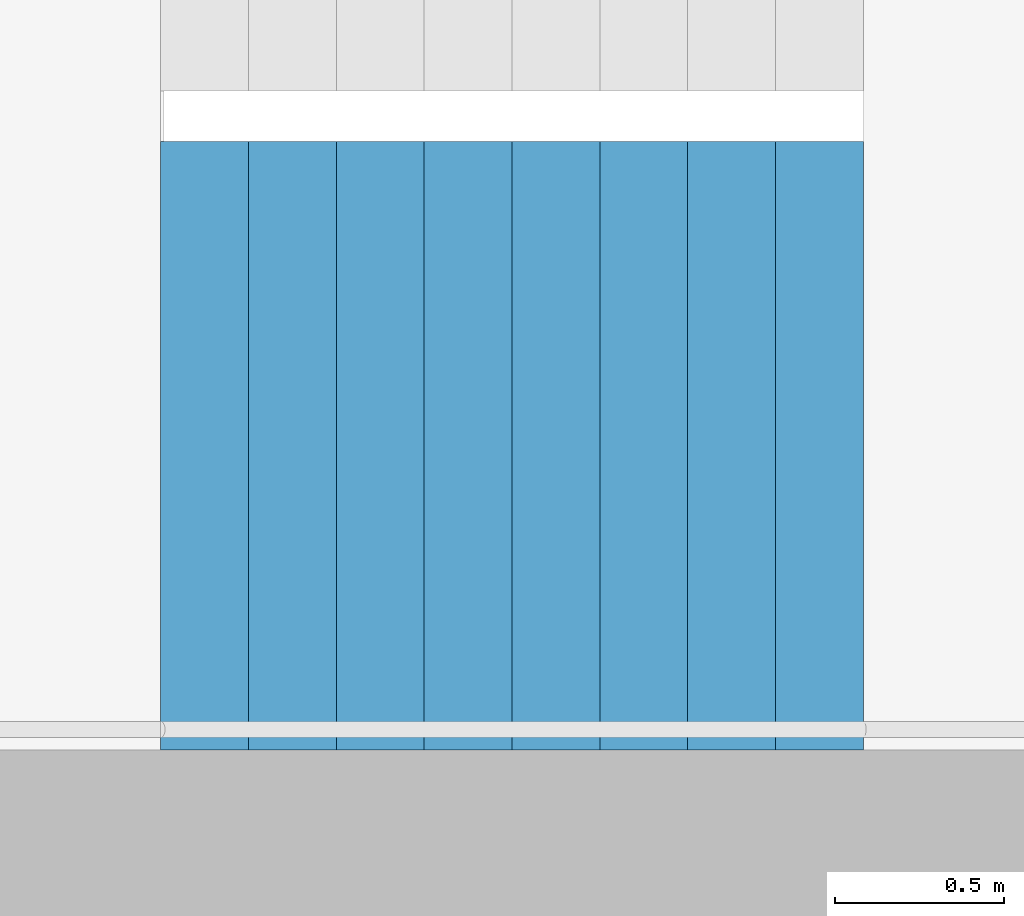
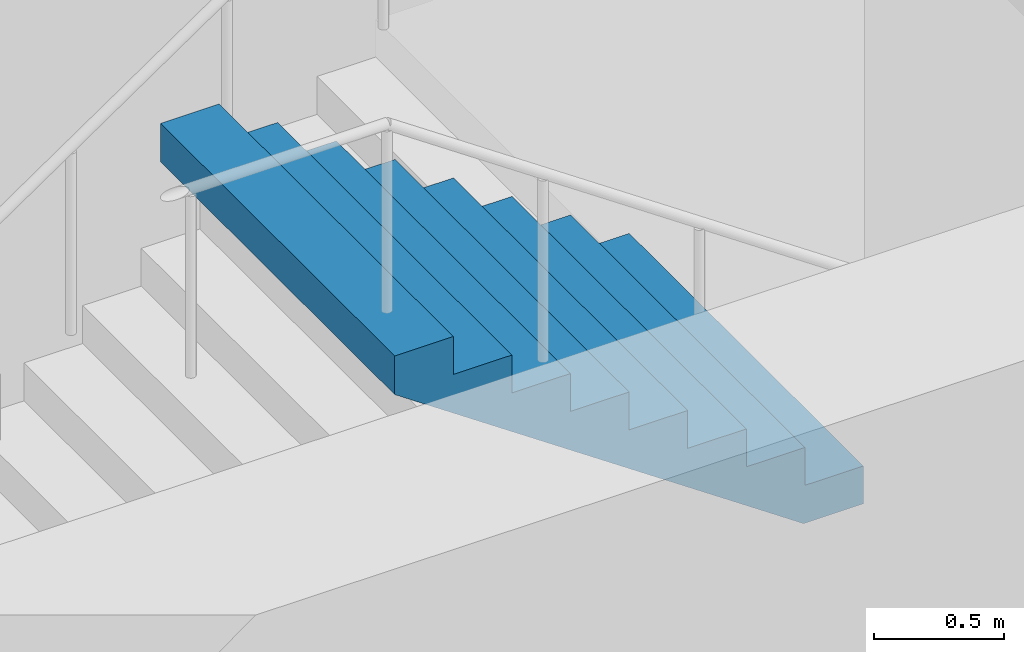
# One storey, part 26 of 43: 1 stair flight, 1 element without a shape of its own.
"""IFC4 building model written with IfcOpenShell, lengths in metres."""

from ifc_helpers import new_model, si_unit, direction, frame, origin, place, context, subcontext, project, spatial, triangles, material, type_object, element, aggregate, save


model = new_model("IFC4")

# Units and contexts
model_context = context("Model", 3, precision=1e-05, world=origin(), true_north=direction((0.0, 1.0)))
body_context = subcontext(model_context, "Body", "Model", "MODEL_VIEW")
ifc_project = project(units=[si_unit("LENGTHUNIT", "METRE"), si_unit("AREAUNIT", "SQUARE_METRE"), si_unit("VOLUMEUNIT", "CUBIC_METRE"), si_unit("PLANEANGLEUNIT", "RADIAN"), si_unit("MASSUNIT", "GRAM", prefix="KILO")], contexts=[model_context])

# Site, building, storey
site_placement = place(None, origin())
site = spatial("IfcSite", under=ifc_project, at=site_placement, CompositionType="ELEMENT")
building_placement = place(site_placement, origin())
building = spatial("IfcBuilding", under=site, at=building_placement, Name="Hakoniwa Tower and Hamabe Station Hall", CompositionType="ELEMENT")
storey_placement = place(building_placement, frame((0.0, 0.0, 124.60009765625)))
storey = spatial("IfcBuildingStorey", under=building, at=storey_placement, Name="L35", CompositionType="ELEMENT", Elevation=124.60009765625)

# Stair, stair flight
ifc_material_1 = material(Name="Concrete C40", Category="concrete")
stair_type = type_object("IfcStairType", Name="ESCAPE STAIR 1800", PredefinedType="HALF_TURN_STAIR", material=ifc_material_1)
stair_placement = place(storey_placement, origin())
stair = element("IfcStair", 1, at=stair_placement, inside=storey, type_object=stair_type, Name="Escape stair ST-4 L35", PredefinedType="HALF_TURN_STAIR")
ifc_material_2 = material(Name="Concrete C40", Category="concrete")
stair_flight_type = type_object("IfcStairFlightType", Name="STAIR FLIGHT 1800", PredefinedType="STRAIGHT", material=ifc_material_2)
stair_flight_placement = place(storey_placement, frame((25.47998046875, -6.60009765625, 4.7998046875), z_axis=(0.0, 0.0, 1.0), x_axis=(-1.0, 0.0, 0.0)))
stair_flight = element("IfcStairFlight", 2, at=stair_flight_placement, type_object=stair_flight_type, Name="ST-4 flight 4", NumberOfRisers=9, NumberOfTreads=8, PredefinedType="STRAIGHT", RiserHeight=0.177777778, TreadLength=0.26, context=body_context, shape_type="Tessellation", body=[
    triangles([(0.0, 0.89990234375, 0.0), (0.260009765625, 0.89990234375, 0.0), (0.265625, 0.89990234375, 0.0), (0.52001953125, 0.89990234375, 0.174072265625), (0.780029296875, 0.89990234375, 0.351806640625), (1.0400390625, 0.89990234375, 0.529541015625), (1.300048828125, 0.89990234375, 0.707275390625), (1.56005859375, 0.89990234375, 0.885009765625), (1.820068359375, 0.89990234375, 1.062744140625), (2.080078125, 0.89990234375, 1.24072265625), (2.080078125, 0.89990234375, 1.422119140625), (1.820068359375, 0.89990234375, 1.422119140625), (1.820068359375, 0.89990234375, 1.244384765625), (1.56005859375, 0.89990234375, 1.244384765625), (1.56005859375, 0.89990234375, 1.066650390625), (1.300048828125, 0.89990234375, 1.066650390625), (1.300048828125, 0.89990234375, 0.888916015625), (1.0400390625, 0.89990234375, 0.888916015625), (1.0400390625, 0.89990234375, 0.711181640625), (0.780029296875, 0.89990234375, 0.711181640625), (0.780029296875, 0.89990234375, 0.533447265625), (0.52001953125, 0.89990234375, 0.533447265625), (0.52001953125, 0.89990234375, 0.35546875), (0.265625, 0.89990234375, 0.35546875), (0.260009765625, 0.89990234375, 0.35546875), (0.260009765625, 0.89990234375, 0.177734375), (0.0, 0.89990234375, 0.177734375), (0.0, 0.06005859375, 0.0), (0.260009765625, 0.06005859375, 0.0), (0.265625, 0.06005859375, 0.0), (0.52001953125, 0.06005859375, 0.174072265625), (0.780029296875, 0.06005859375, 0.351806640625), (1.0400390625, 0.06005859375, 0.529541015625), (1.300048828125, 0.06005859375, 0.707275390625), (1.56005859375, 0.06005859375, 0.885009765625), (1.820068359375, 0.06005859375, 1.062744140625), (2.080078125, 0.06005859375, 1.24072265625), (2.080078125, 0.06005859375, 1.422119140625), (1.820068359375, 0.06005859375, 1.422119140625), (1.820068359375, 0.06005859375, 1.244384765625), (1.56005859375, 0.06005859375, 1.244384765625), (1.56005859375, 0.06005859375, 1.066650390625), (1.300048828125, 0.06005859375, 1.066650390625), (1.300048828125, 0.06005859375, 0.888916015625), (1.0400390625, 0.06005859375, 0.888916015625), (1.0400390625, 0.06005859375, 0.711181640625), (0.780029296875, 0.06005859375, 0.711181640625), (0.780029296875, 0.06005859375, 0.533447265625), (0.52001953125, 0.06005859375, 0.533447265625), (0.52001953125, 0.06005859375, 0.35546875), (0.265625, 0.06005859375, 0.35546875), (0.260009765625, 0.06005859375, 0.35546875), (0.260009765625, 0.06005859375, 0.177734375), (0.0, 0.06005859375, 0.177734375), (0.0, 0.04296875, 0.0), (0.260009765625, 0.04296875, 0.0), (0.265625, 0.04296875, 0.0), (0.52001953125, 0.04296875, 0.174072265625), (0.780029296875, 0.04296875, 0.351806640625), (1.0400390625, 0.04296875, 0.529541015625), (1.300048828125, 0.04296875, 0.707275390625), (1.56005859375, 0.04296875, 0.885009765625), (1.820068359375, 0.04296875, 1.062744140625), (2.080078125, 0.04296875, 1.24072265625), (2.080078125, 0.04296875, 1.422119140625), (1.820068359375, 0.04296875, 1.422119140625), (1.820068359375, 0.04296875, 1.244384765625), (1.56005859375, 0.04296875, 1.244384765625), (1.56005859375, 0.04296875, 1.066650390625), (1.300048828125, 0.04296875, 1.066650390625), (1.300048828125, 0.04296875, 0.888916015625), (1.0400390625, 0.04296875, 0.888916015625), (1.0400390625, 0.04296875, 0.711181640625), (0.780029296875, 0.04296875, 0.711181640625), (0.780029296875, 0.04296875, 0.533447265625), (0.52001953125, 0.04296875, 0.533447265625), (0.52001953125, 0.04296875, 0.35546875), (0.265625, 0.04296875, 0.35546875), (0.260009765625, 0.04296875, 0.35546875), (0.260009765625, 0.04296875, 0.177734375), (0.0, 0.04296875, 0.177734375), (0.0, 0.025634765625, 0.0), (0.260009765625, 0.025634765625, 0.0), (0.265625, 0.025634765625, 0.0), (0.52001953125, 0.025634765625, 0.174072265625), (0.780029296875, 0.025634765625, 0.351806640625), (1.0400390625, 0.025634765625, 0.529541015625), (1.300048828125, 0.025634765625, 0.707275390625), (1.56005859375, 0.025634765625, 0.885009765625), (1.820068359375, 0.025634765625, 1.062744140625), (2.080078125, 0.025634765625, 1.24072265625), (2.080078125, 0.025634765625, 1.422119140625), (1.820068359375, 0.025634765625, 1.422119140625), (1.820068359375, 0.025634765625, 1.244384765625), (1.56005859375, 0.025634765625, 1.244384765625), (1.56005859375, 0.025634765625, 1.066650390625), (1.300048828125, 0.025634765625, 1.066650390625), (1.300048828125, 0.025634765625, 0.888916015625), (1.0400390625, 0.025634765625, 0.888916015625), (1.0400390625, 0.025634765625, 0.711181640625), (0.780029296875, 0.025634765625, 0.711181640625), (0.780029296875, 0.025634765625, 0.533447265625), (0.52001953125, 0.025634765625, 0.533447265625), (0.52001953125, 0.025634765625, 0.35546875), (0.265625, 0.025634765625, 0.35546875), (0.260009765625, 0.025634765625, 0.35546875), (0.260009765625, 0.025634765625, 0.177734375), (0.0, 0.025634765625, 0.177734375), (0.0, 0.008544921875, 0.0), (0.260009765625, 0.008544921875, 0.0), (0.265625, 0.008544921875, 0.0), (0.52001953125, 0.008544921875, 0.174072265625), (0.780029296875, 0.008544921875, 0.351806640625), (1.0400390625, 0.008544921875, 0.529541015625), (1.300048828125, 0.008544921875, 0.707275390625), (1.56005859375, 0.008544921875, 0.885009765625), (1.820068359375, 0.008544921875, 1.062744140625), (2.080078125, 0.008544921875, 1.24072265625), (2.080078125, 0.008544921875, 1.422119140625), (1.820068359375, 0.008544921875, 1.422119140625), (1.820068359375, 0.008544921875, 1.244384765625), (1.56005859375, 0.008544921875, 1.244384765625), (1.56005859375, 0.008544921875, 1.066650390625), (1.300048828125, 0.008544921875, 1.066650390625), (1.300048828125, 0.008544921875, 0.888916015625), (1.0400390625, 0.008544921875, 0.888916015625), (1.0400390625, 0.008544921875, 0.711181640625), (0.780029296875, 0.008544921875, 0.711181640625), (0.780029296875, 0.008544921875, 0.533447265625), (0.52001953125, 0.008544921875, 0.533447265625), (0.52001953125, 0.008544921875, 0.35546875), (0.265625, 0.008544921875, 0.35546875), (0.260009765625, 0.008544921875, 0.35546875), (0.260009765625, 0.008544921875, 0.177734375), (0.0, 0.008544921875, 0.177734375), (0.0, -0.008544921875, 0.0), (0.260009765625, -0.008544921875, 0.0), (0.265625, -0.008544921875, 0.0), (0.52001953125, -0.008544921875, 0.174072265625), (0.780029296875, -0.008544921875, 0.351806640625), (1.0400390625, -0.008544921875, 0.529541015625), (1.300048828125, -0.008544921875, 0.707275390625), (1.56005859375, -0.008544921875, 0.885009765625), (1.820068359375, -0.008544921875, 1.062744140625), (2.080078125, -0.008544921875, 1.24072265625), (2.080078125, -0.008544921875, 1.422119140625), (1.820068359375, -0.008544921875, 1.422119140625), (1.820068359375, -0.008544921875, 1.244384765625), (1.56005859375, -0.008544921875, 1.244384765625), (1.56005859375, -0.008544921875, 1.066650390625), (1.300048828125, -0.008544921875, 1.066650390625), (1.300048828125, -0.008544921875, 0.888916015625), (1.0400390625, -0.008544921875, 0.888916015625), (1.0400390625, -0.008544921875, 0.711181640625), (0.780029296875, -0.008544921875, 0.711181640625), (0.780029296875, -0.008544921875, 0.533447265625), (0.52001953125, -0.008544921875, 0.533447265625), (0.52001953125, -0.008544921875, 0.35546875), (0.265625, -0.008544921875, 0.35546875), (0.260009765625, -0.008544921875, 0.35546875), (0.260009765625, -0.008544921875, 0.177734375), (0.0, -0.008544921875, 0.177734375), (0.0, -0.025634765625, 0.0), (0.260009765625, -0.025634765625, 0.0), (0.265625, -0.025634765625, 0.0), (0.52001953125, -0.025634765625, 0.174072265625), (0.780029296875, -0.025634765625, 0.351806640625), (1.0400390625, -0.025634765625, 0.529541015625), (1.300048828125, -0.025634765625, 0.707275390625), (1.56005859375, -0.025634765625, 0.885009765625), (1.820068359375, -0.025634765625, 1.062744140625), (2.080078125, -0.025634765625, 1.24072265625), (2.080078125, -0.025634765625, 1.422119140625), (1.820068359375, -0.025634765625, 1.422119140625), (1.820068359375, -0.025634765625, 1.244384765625), (1.56005859375, -0.025634765625, 1.244384765625), (1.56005859375, -0.025634765625, 1.066650390625), (1.300048828125, -0.025634765625, 1.066650390625), (1.300048828125, -0.025634765625, 0.888916015625), (1.0400390625, -0.025634765625, 0.888916015625), (1.0400390625, -0.025634765625, 0.711181640625), (0.780029296875, -0.025634765625, 0.711181640625), (0.780029296875, -0.025634765625, 0.533447265625), (0.52001953125, -0.025634765625, 0.533447265625), (0.52001953125, -0.025634765625, 0.35546875), (0.265625, -0.025634765625, 0.35546875), (0.260009765625, -0.025634765625, 0.35546875), (0.260009765625, -0.025634765625, 0.177734375), (0.0, -0.025634765625, 0.177734375), (0.0, -0.04296875, 0.0), (0.260009765625, -0.04296875, 0.0), (0.265625, -0.04296875, 0.0), (0.52001953125, -0.04296875, 0.174072265625), (0.780029296875, -0.04296875, 0.351806640625), (1.0400390625, -0.04296875, 0.529541015625), (1.300048828125, -0.04296875, 0.707275390625), (1.56005859375, -0.04296875, 0.885009765625), (1.820068359375, -0.04296875, 1.062744140625), (2.080078125, -0.04296875, 1.24072265625), (2.080078125, -0.04296875, 1.422119140625), (1.820068359375, -0.04296875, 1.422119140625), (1.820068359375, -0.04296875, 1.244384765625), (1.56005859375, -0.04296875, 1.244384765625), (1.56005859375, -0.04296875, 1.066650390625), (1.300048828125, -0.04296875, 1.066650390625), (1.300048828125, -0.04296875, 0.888916015625), (1.0400390625, -0.04296875, 0.888916015625), (1.0400390625, -0.04296875, 0.711181640625), (0.780029296875, -0.04296875, 0.711181640625), (0.780029296875, -0.04296875, 0.533447265625), (0.52001953125, -0.04296875, 0.533447265625), (0.52001953125, -0.04296875, 0.35546875), (0.265625, -0.04296875, 0.35546875), (0.260009765625, -0.04296875, 0.35546875), (0.260009765625, -0.04296875, 0.177734375), (0.0, -0.04296875, 0.177734375), (0.0, -0.06005859375, 0.0), (0.260009765625, -0.06005859375, 0.0), (0.265625, -0.06005859375, 0.0), (0.52001953125, -0.06005859375, 0.174072265625), (0.780029296875, -0.06005859375, 0.351806640625), (1.0400390625, -0.06005859375, 0.529541015625), (1.300048828125, -0.06005859375, 0.707275390625), (1.56005859375, -0.06005859375, 0.885009765625), (1.820068359375, -0.06005859375, 1.062744140625), (2.080078125, -0.06005859375, 1.24072265625), (2.080078125, -0.06005859375, 1.422119140625), (1.820068359375, -0.06005859375, 1.422119140625), (1.820068359375, -0.06005859375, 1.244384765625), (1.56005859375, -0.06005859375, 1.244384765625), (1.56005859375, -0.06005859375, 1.066650390625), (1.300048828125, -0.06005859375, 1.066650390625), (1.300048828125, -0.06005859375, 0.888916015625), (1.0400390625, -0.06005859375, 0.888916015625), (1.0400390625, -0.06005859375, 0.711181640625), (0.780029296875, -0.06005859375, 0.711181640625), (0.780029296875, -0.06005859375, 0.533447265625), (0.52001953125, -0.06005859375, 0.533447265625), (0.52001953125, -0.06005859375, 0.35546875), (0.265625, -0.06005859375, 0.35546875), (0.260009765625, -0.06005859375, 0.35546875), (0.260009765625, -0.06005859375, 0.177734375), (0.0, -0.06005859375, 0.177734375), (0.0, -0.89990234375, 0.0), (0.260009765625, -0.89990234375, 0.0), (0.265625, -0.89990234375, 0.0), (0.52001953125, -0.89990234375, 0.174072265625), (0.780029296875, -0.89990234375, 0.351806640625), (1.0400390625, -0.89990234375, 0.529541015625), (1.300048828125, -0.89990234375, 0.707275390625), (1.56005859375, -0.89990234375, 0.885009765625), (1.820068359375, -0.89990234375, 1.062744140625), (2.080078125, -0.89990234375, 1.24072265625), (2.080078125, -0.89990234375, 1.422119140625), (1.820068359375, -0.89990234375, 1.422119140625), (1.820068359375, -0.89990234375, 1.244384765625), (1.56005859375, -0.89990234375, 1.244384765625), (1.56005859375, -0.89990234375, 1.066650390625), (1.300048828125, -0.89990234375, 1.066650390625), (1.300048828125, -0.89990234375, 0.888916015625), (1.0400390625, -0.89990234375, 0.888916015625), (1.0400390625, -0.89990234375, 0.711181640625), (0.780029296875, -0.89990234375, 0.711181640625), (0.780029296875, -0.89990234375, 0.533447265625), (0.52001953125, -0.89990234375, 0.533447265625), (0.52001953125, -0.89990234375, 0.35546875), (0.265625, -0.89990234375, 0.35546875), (0.260009765625, -0.89990234375, 0.35546875), (0.260009765625, -0.89990234375, 0.177734375), (0.0, -0.89990234375, 0.177734375)], [[2, 27, 26], [245, 269, 270], [2, 1, 27], [245, 270, 244], [3, 25, 24], [246, 267, 268], [3, 26, 25], [246, 268, 269], [3, 2, 26], [246, 269, 245], [4, 24, 23], [247, 266, 267], [4, 3, 24], [247, 267, 246], [5, 22, 21], [248, 264, 265], [5, 23, 22], [248, 265, 266], [5, 4, 23], [248, 266, 247], [6, 20, 19], [249, 262, 263], [6, 21, 20], [249, 263, 264], [6, 5, 21], [249, 264, 248], [7, 18, 17], [250, 260, 261], [7, 19, 18], [250, 261, 262], [7, 6, 19], [250, 262, 249], [8, 16, 15], [251, 258, 259], [8, 17, 16], [251, 259, 260], [8, 7, 17], [251, 260, 250], [9, 14, 13], [252, 256, 257], [9, 15, 14], [252, 257, 258], [9, 8, 15], [252, 258, 251], [10, 12, 11], [253, 254, 255], [10, 13, 12], [253, 255, 256], [10, 9, 13], [253, 256, 252], [1, 2, 29], [1, 29, 28], [28, 29, 56], [28, 56, 55], [55, 56, 83], [55, 83, 82], [82, 83, 110], [82, 110, 109], [109, 110, 137], [109, 137, 136], [136, 137, 164], [136, 164, 163], [163, 164, 191], [163, 191, 190], [190, 191, 218], [190, 218, 217], [217, 218, 245], [217, 245, 244], [2, 3, 30], [2, 30, 29], [29, 30, 57], [29, 57, 56], [56, 57, 84], [56, 84, 83], [83, 84, 111], [83, 111, 110], [110, 111, 138], [110, 138, 137], [137, 138, 165], [137, 165, 164], [164, 165, 192], [164, 192, 191], [191, 192, 219], [191, 219, 218], [218, 219, 246], [218, 246, 245], [3, 4, 31], [3, 31, 30], [30, 31, 58], [30, 58, 57], [57, 58, 85], [57, 85, 84], [84, 85, 112], [84, 112, 111], [111, 112, 139], [111, 139, 138], [138, 139, 166], [138, 166, 165], [165, 166, 193], [165, 193, 192], [192, 193, 220], [192, 220, 219], [219, 220, 247], [219, 247, 246], [4, 5, 32], [4, 32, 31], [31, 32, 59], [31, 59, 58], [58, 59, 86], [58, 86, 85], [85, 86, 113], [85, 113, 112], [112, 113, 140], [112, 140, 139], [139, 140, 167], [139, 167, 166], [166, 167, 194], [166, 194, 193], [193, 194, 221], [193, 221, 220], [220, 221, 248], [220, 248, 247], [5, 6, 33], [5, 33, 32], [32, 33, 60], [32, 60, 59], [59, 60, 87], [59, 87, 86], [86, 87, 114], [86, 114, 113], [113, 114, 141], [113, 141, 140], [140, 141, 168], [140, 168, 167], [167, 168, 195], [167, 195, 194], [194, 195, 222], [194, 222, 221], [221, 222, 249], [221, 249, 248], [6, 7, 34], [6, 34, 33], [33, 34, 61], [33, 61, 60], [60, 61, 88], [60, 88, 87], [87, 88, 115], [87, 115, 114], [114, 115, 142], [114, 142, 141], [141, 142, 169], [141, 169, 168], [168, 169, 196], [168, 196, 195], [195, 196, 223], [195, 223, 222], [222, 223, 250], [222, 250, 249], [7, 8, 35], [7, 35, 34], [34, 35, 62], [34, 62, 61], [61, 62, 89], [61, 89, 88], [88, 89, 116], [88, 116, 115], [115, 116, 143], [115, 143, 142], [142, 143, 170], [142, 170, 169], [169, 170, 197], [169, 197, 196], [196, 197, 224], [196, 224, 223], [223, 224, 251], [223, 251, 250], [8, 9, 36], [8, 36, 35], [35, 36, 63], [35, 63, 62], [62, 63, 90], [62, 90, 89], [89, 90, 117], [89, 117, 116], [116, 117, 144], [116, 144, 143], [143, 144, 171], [143, 171, 170], [170, 171, 198], [170, 198, 197], [197, 198, 225], [197, 225, 224], [224, 225, 252], [224, 252, 251], [9, 10, 37], [9, 37, 36], [36, 37, 64], [36, 64, 63], [63, 64, 91], [63, 91, 90], [90, 91, 118], [90, 118, 117], [117, 118, 145], [117, 145, 144], [144, 145, 172], [144, 172, 171], [171, 172, 199], [171, 199, 198], [198, 199, 226], [198, 226, 225], [225, 226, 253], [225, 253, 252], [10, 11, 38], [10, 38, 37], [37, 38, 65], [37, 65, 64], [64, 65, 92], [64, 92, 91], [91, 92, 119], [91, 119, 118], [118, 119, 146], [118, 146, 145], [145, 146, 173], [145, 173, 172], [172, 173, 200], [172, 200, 199], [199, 200, 227], [199, 227, 226], [226, 227, 254], [226, 254, 253], [11, 12, 39], [11, 39, 38], [38, 39, 66], [38, 66, 65], [65, 66, 93], [65, 93, 92], [92, 93, 120], [92, 120, 119], [119, 120, 147], [119, 147, 146], [146, 147, 174], [146, 174, 173], [173, 174, 201], [173, 201, 200], [200, 201, 228], [200, 228, 227], [227, 228, 255], [227, 255, 254], [12, 13, 40], [12, 40, 39], [39, 40, 67], [39, 67, 66], [66, 67, 94], [66, 94, 93], [93, 94, 121], [93, 121, 120], [120, 121, 148], [120, 148, 147], [147, 148, 175], [147, 175, 174], [174, 175, 202], [174, 202, 201], [201, 202, 229], [201, 229, 228], [228, 229, 256], [228, 256, 255], [13, 14, 41], [13, 41, 40], [40, 41, 68], [40, 68, 67], [67, 68, 95], [67, 95, 94], [94, 95, 122], [94, 122, 121], [121, 122, 149], [121, 149, 148], [148, 149, 176], [148, 176, 175], [175, 176, 203], [175, 203, 202], [202, 203, 230], [202, 230, 229], [229, 230, 257], [229, 257, 256], [14, 15, 42], [14, 42, 41], [41, 42, 69], [41, 69, 68], [68, 69, 96], [68, 96, 95], [95, 96, 123], [95, 123, 122], [122, 123, 150], [122, 150, 149], [149, 150, 177], [149, 177, 176], [176, 177, 204], [176, 204, 203], [203, 204, 231], [203, 231, 230], [230, 231, 258], [230, 258, 257], [15, 16, 43], [15, 43, 42], [42, 43, 70], [42, 70, 69], [69, 70, 97], [69, 97, 96], [96, 97, 124], [96, 124, 123], [123, 124, 151], [123, 151, 150], [150, 151, 178], [150, 178, 177], [177, 178, 205], [177, 205, 204], [204, 205, 232], [204, 232, 231], [231, 232, 259], [231, 259, 258], [16, 17, 44], [16, 44, 43], [43, 44, 71], [43, 71, 70], [70, 71, 98], [70, 98, 97], [97, 98, 125], [97, 125, 124], [124, 125, 152], [124, 152, 151], [151, 152, 179], [151, 179, 178], [178, 179, 206], [178, 206, 205], [205, 206, 233], [205, 233, 232], [232, 233, 260], [232, 260, 259], [17, 18, 45], [17, 45, 44], [44, 45, 72], [44, 72, 71], [71, 72, 99], [71, 99, 98], [98, 99, 126], [98, 126, 125], [125, 126, 153], [125, 153, 152], [152, 153, 180], [152, 180, 179], [179, 180, 207], [179, 207, 206], [206, 207, 234], [206, 234, 233], [233, 234, 261], [233, 261, 260], [18, 19, 46], [18, 46, 45], [45, 46, 73], [45, 73, 72], [72, 73, 100], [72, 100, 99], [99, 100, 127], [99, 127, 126], [126, 127, 154], [126, 154, 153], [153, 154, 181], [153, 181, 180], [180, 181, 208], [180, 208, 207], [207, 208, 235], [207, 235, 234], [234, 235, 262], [234, 262, 261], [19, 20, 47], [19, 47, 46], [46, 47, 74], [46, 74, 73], [73, 74, 101], [73, 101, 100], [100, 101, 128], [100, 128, 127], [127, 128, 155], [127, 155, 154], [154, 155, 182], [154, 182, 181], [181, 182, 209], [181, 209, 208], [208, 209, 236], [208, 236, 235], [235, 236, 263], [235, 263, 262], [20, 21, 48], [20, 48, 47], [47, 48, 75], [47, 75, 74], [74, 75, 102], [74, 102, 101], [101, 102, 129], [101, 129, 128], [128, 129, 156], [128, 156, 155], [155, 156, 183], [155, 183, 182], [182, 183, 210], [182, 210, 209], [209, 210, 237], [209, 237, 236], [236, 237, 264], [236, 264, 263], [21, 22, 49], [21, 49, 48], [48, 49, 76], [48, 76, 75], [75, 76, 103], [75, 103, 102], [102, 103, 130], [102, 130, 129], [129, 130, 157], [129, 157, 156], [156, 157, 184], [156, 184, 183], [183, 184, 211], [183, 211, 210], [210, 211, 238], [210, 238, 237], [237, 238, 265], [237, 265, 264], [22, 23, 50], [22, 50, 49], [49, 50, 77], [49, 77, 76], [76, 77, 104], [76, 104, 103], [103, 104, 131], [103, 131, 130], [130, 131, 158], [130, 158, 157], [157, 158, 185], [157, 185, 184], [184, 185, 212], [184, 212, 211], [211, 212, 239], [211, 239, 238], [238, 239, 266], [238, 266, 265], [23, 24, 51], [23, 51, 50], [50, 51, 78], [50, 78, 77], [77, 78, 105], [77, 105, 104], [104, 105, 132], [104, 132, 131], [131, 132, 159], [131, 159, 158], [158, 159, 186], [158, 186, 185], [185, 186, 213], [185, 213, 212], [212, 213, 240], [212, 240, 239], [239, 240, 267], [239, 267, 266], [24, 25, 52], [24, 52, 51], [51, 52, 79], [51, 79, 78], [78, 79, 106], [78, 106, 105], [105, 106, 133], [105, 133, 132], [132, 133, 160], [132, 160, 159], [159, 160, 187], [159, 187, 186], [186, 187, 214], [186, 214, 213], [213, 214, 241], [213, 241, 240], [240, 241, 268], [240, 268, 267], [25, 26, 53], [25, 53, 52], [52, 53, 80], [52, 80, 79], [79, 80, 107], [79, 107, 106], [106, 107, 134], [106, 134, 133], [133, 134, 161], [133, 161, 160], [160, 161, 188], [160, 188, 187], [187, 188, 215], [187, 215, 214], [214, 215, 242], [214, 242, 241], [241, 242, 269], [241, 269, 268], [26, 27, 54], [26, 54, 53], [53, 54, 81], [53, 81, 80], [80, 81, 108], [80, 108, 107], [107, 108, 135], [107, 135, 134], [134, 135, 162], [134, 162, 161], [161, 162, 189], [161, 189, 188], [188, 189, 216], [188, 216, 215], [215, 216, 243], [215, 243, 242], [242, 243, 270], [242, 270, 269], [27, 1, 28], [27, 28, 54], [54, 28, 55], [54, 55, 81], [81, 55, 82], [81, 82, 108], [108, 82, 109], [108, 109, 135], [135, 109, 136], [135, 136, 162], [162, 136, 163], [162, 163, 189], [189, 163, 190], [189, 190, 216], [216, 190, 217], [216, 217, 243], [243, 217, 244], [243, 244, 270]], closed=True),
])
aggregate(stair, [stair_flight])

save(model, "model.ifc")
